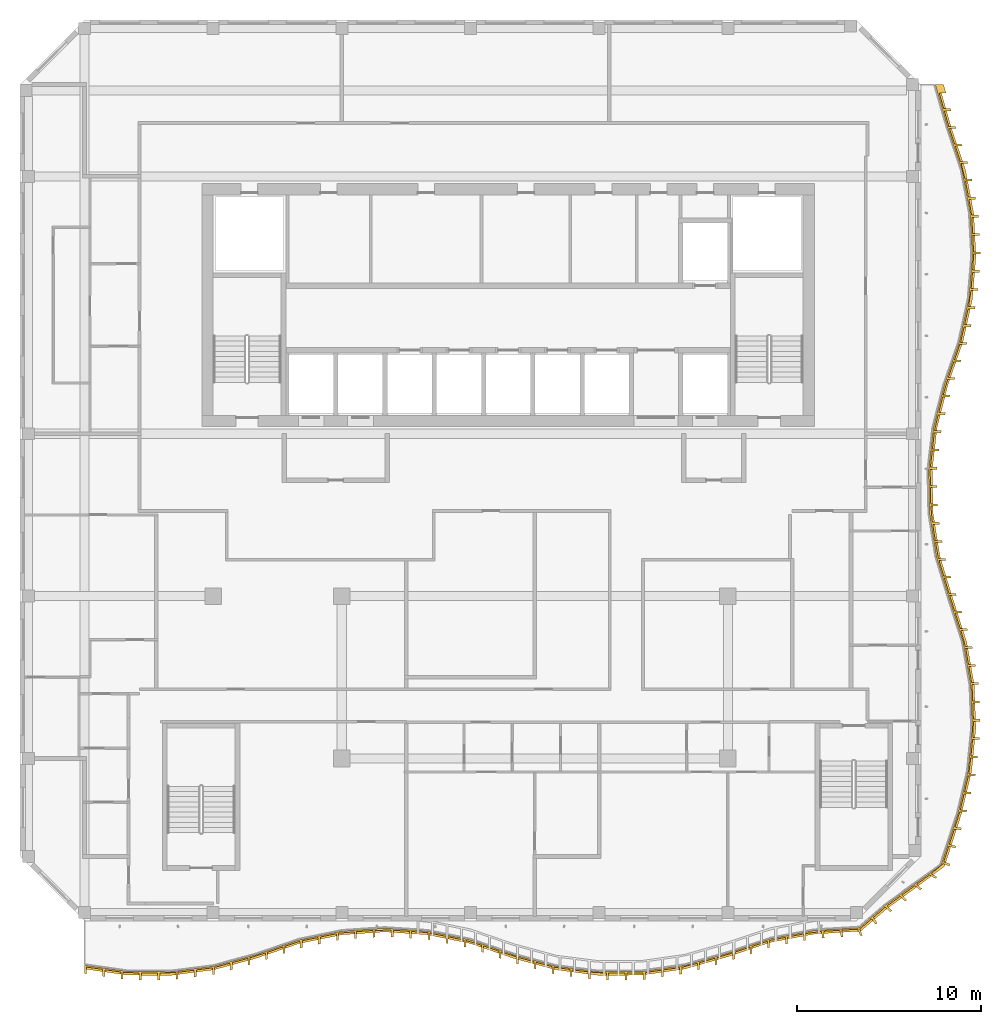
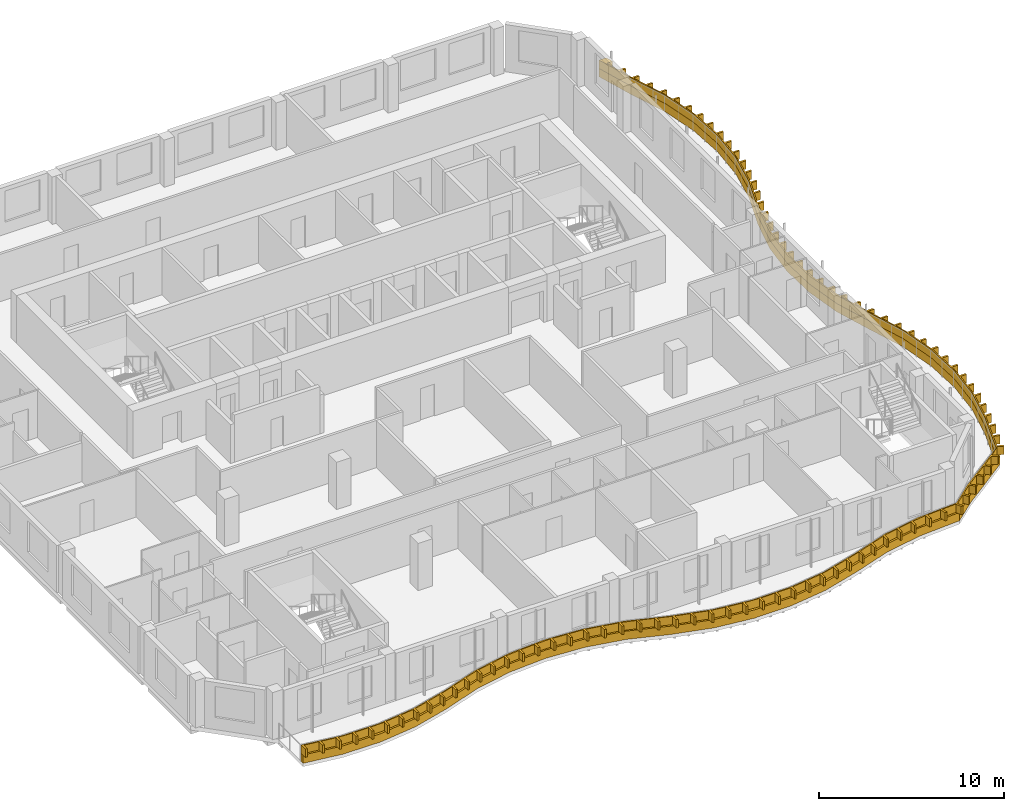
# One storey, part 13 of 17: 2 shading devices.
"""IFC4 building model written with IfcOpenShell, lengths in metres."""

from ifc_helpers import new_model, si_unit, direction, frame, origin, place, context, subcontext, project, spatial, polyline, outline, extrude, source, transform, mapped, material, layer, layer_set, type_object, element, save


model = new_model("IFC4")

# Units and contexts
model_context = context("Model", 3, precision=1e-05, world=origin(), true_north=direction((0.0, 1.0)))
body_context = subcontext(model_context, "Body", "Model", "MODEL_VIEW")
ifc_project = project(units=[si_unit("LENGTHUNIT", "METRE"), si_unit("AREAUNIT", "SQUARE_METRE"), si_unit("VOLUMEUNIT", "CUBIC_METRE"), si_unit("PLANEANGLEUNIT", "RADIAN"), si_unit("MASSUNIT", "GRAM", prefix="KILO")], contexts=[model_context])

# Site, building, storey
site_placement = place(None, origin())
site = spatial("IfcSite", under=ifc_project, at=site_placement, CompositionType="ELEMENT")
building_placement = place(site_placement, origin())
building = spatial("IfcBuilding", under=site, at=building_placement, Name="Kilnfold Tower and Market Hall", CompositionType="ELEMENT")
storey_placement = place(building_placement, frame((0.0, 0.0, 273.800048828125)))
storey = spatial("IfcBuildingStorey", under=building, at=storey_placement, Name="L67", CompositionType="ELEMENT", Elevation=273.800048828125)

# Shading devices
ifc_material_1 = material(Name="Precast concrete C50/60", Category="concrete")
ifc_layer_1 = layer(ifc_material_1, 0.550048828125)
ifc_layer_set_1 = layer_set([ifc_layer_1], Name="Precast concrete C50/60")
shading_device_type_1 = type_object("IfcShadingDeviceType", Name="BALCONY UPSTAND 550", PredefinedType="USERDEFINED", material=ifc_layer_set_1)
shared_shape_1 = source(origin(), body_context, "Body", "SweptSolid", [
    extrude(outline(polyline([(-22.0, -21.117431640625), (-19.666748046875, -21.45166015625), (-17.333251953125, -21.46923828125), (-15.0, -21.1708984375), (-12.666748046875, -20.5400390625), (-10.333251953125, -19.73779296875), (-8.0, -19.257568359375), (-5.666748046875, -19.10009765625), (-3.333251953125, -19.25634765625), (-1.0, -19.735595703125), (1.333251953125, -20.537109375), (3.666748046875, -21.169189453125), (6.0, -21.468505859375), (8.333251953125, -21.452392578125), (10.666748046875, -21.119384765625), (13.0, -20.450439453125), (15.333251953125, -19.669677734375), (17.666748046875, -19.225341796875), (20.230224609375, -19.055908203125), (21.664306640625, -17.830810546875), (23.015625, -16.84912109375), (24.78759765625, -15.533203125), (25.71337890625, -12.666748046875), (26.2666015625, -10.333251953125), (26.49267578125, -8.0), (26.404296875, -5.666748046875), (25.99658203125, -3.333251953125), (25.246826171875, -1.0), (24.538330078125, 1.333251953125), (24.169189453125, 3.666748046875), (24.11767578125, 6.0), (24.381103515625, 8.333251953125), (24.974609375, 10.666748046875), (25.789794921875, 13.0), (26.306396484375, 15.333251953125), (26.498046875, 17.666748046875), (26.375732421875, 20.0), (25.9326171875, 22.333251953125), (25.152587890625, 24.666748046875), (24.482421875, 27.0), (24.282470703125, 27.0), (24.95263671875, 24.666748046875), (25.732666015625, 22.333251953125), (26.17578125, 20.0), (26.298095703125, 17.666748046875), (26.1064453125, 15.333251953125), (25.589599609375, 13.0), (24.774658203125, 10.666748046875), (24.18115234375, 8.333251953125), (23.91748046875, 6.0), (23.968994140625, 3.666748046875), (24.33837890625, 1.333251953125), (25.046875, -1.0), (25.796630859375, -3.333251953125), (26.2041015625, -5.666748046875), (26.29248046875, -8.0), (26.06640625, -10.333251953125), (25.51318359375, -12.666748046875), (24.602783203125, -15.456787109375), (22.874267578125, -16.707763671875), (21.52294921875, -17.689453125), (20.15380859375, -18.87109375), (17.666748046875, -19.025390625), (15.333251953125, -19.4697265625), (13.0, -20.25048828125), (10.666748046875, -20.919189453125), (8.333251953125, -21.252197265625), (6.0, -21.2685546875), (3.666748046875, -20.96923828125), (1.333251953125, -20.337158203125), (-1.0, -19.535400390625), (-3.333251953125, -19.056396484375), (-5.666748046875, -18.89990234375), (-8.0, -19.0576171875), (-10.333251953125, -19.537841796875), (-12.666748046875, -20.340087890625), (-15.0, -20.970947265625), (-17.333251953125, -21.269287109375), (-19.666748046875, -21.251708984375), (-22.0, -20.91748046875), (-22.0, -21.117431640625)])), origin(), (0.0, 0.0, 1.0), 0.550048828125),
])
shading_device_1_placement = place(storey_placement, origin())
element("IfcShadingDevice", 1, at=shading_device_1_placement, inside=storey, type_object=shading_device_type_1, Name="Balcony fascia L67", ObjectType="FASCIA", PredefinedType="USERDEFINED", context=body_context, shape_type="MappedRepresentation", body=[
    mapped(shared_shape_1, transform((0.0, 0.0, 0.0))),
])
ifc_material_2 = material(Name="Bronze anodised aluminium", Category="aluminium")
ifc_layer_2 = layer(ifc_material_2, 0.550048828125)
ifc_layer_set_2 = layer_set([ifc_layer_2], Name="Bronze anodised aluminium")
shading_device_type_2 = type_object("IfcShadingDeviceType", Name="BRONZE SLAT FASCIA 550", PredefinedType="USERDEFINED", material=ifc_layer_set_2)
shared_shape_2 = source(origin(), body_context, "Body", "SweptSolid", [
    extrude(outline(polyline([(-22.0, -21.367431640625), (-22.0, -20.91748046875), (-19.666748046875, -21.251708984375), (-17.333251953125, -21.269287109375), (-15.0, -20.970947265625), (-12.666748046875, -20.340087890625), (-10.333251953125, -19.537841796875), (-8.0, -19.0576171875), (-5.666748046875, -18.89990234375), (-3.333251953125, -19.056396484375), (-1.0, -19.535400390625), (1.333251953125, -20.337158203125), (3.666748046875, -20.96923828125), (6.0, -21.2685546875), (8.333251953125, -21.252197265625), (10.666748046875, -20.919189453125), (13.0, -20.25048828125), (15.333251953125, -19.4697265625), (17.666748046875, -19.025390625), (20.15380859375, -18.87109375), (21.52294921875, -17.689453125), (24.602783203125, -15.456787109375), (25.51318359375, -12.666748046875), (26.06640625, -10.333251953125), (26.29248046875, -8.0), (26.2041015625, -5.666748046875), (25.796630859375, -3.333251953125), (25.046875, -1.0), (24.33837890625, 1.333251953125), (23.968994140625, 3.666748046875), (23.91748046875, 6.0), (24.18115234375, 8.333251953125), (24.774658203125, 10.666748046875), (25.589599609375, 13.0), (26.1064453125, 15.333251953125), (26.298095703125, 17.666748046875), (26.17578125, 20.0), (25.732666015625, 22.333251953125), (24.95263671875, 24.666748046875), (24.282470703125, 27.0), (24.732421875, 27.0), (24.868896484375, 26.525390625), (24.498779296875, 26.525390625), (24.74169921875, 25.679443359375), (25.11181640625, 25.679443359375), (25.14501953125, 25.564208984375), (24.77490234375, 25.564208984375), (25.017822265625, 24.71826171875), (25.387939453125, 24.71826171875), (25.423583984375, 24.603759765625), (25.0537109375, 24.603759765625), (25.332763671875, 23.769287109375), (25.70263671875, 23.769287109375), (25.74072265625, 23.655517578125), (25.37060546875, 23.655517578125), (25.649658203125, 22.82080078125), (26.019775390625, 22.82080078125), (26.0576171875, 22.70703125), (25.687744140625, 22.70703125), (25.9033203125, 21.855712890625), (26.273193359375, 21.855712890625), (26.295654296875, 21.73779296875), (25.92578125, 21.73779296875), (26.08984375, 20.873291015625), (26.4599609375, 20.873291015625), (26.482421875, 20.755615234375), (26.1123046875, 20.755615234375), (26.26171875, 19.88916015625), (26.631591796875, 19.88916015625), (26.637939453125, 19.769287109375), (26.267822265625, 19.769287109375), (26.31396484375, 18.890380859375), (26.68408203125, 18.890380859375), (26.690185546875, 18.770751953125), (26.3203125, 18.770751953125), (26.3662109375, 17.891845703125), (26.736328125, 17.891845703125), (26.74267578125, 17.772216796875), (26.37255859375, 17.772216796875), (26.314697265625, 16.894775390625), (26.684814453125, 16.894775390625), (26.6748046875, 16.775146484375), (26.304931640625, 16.775146484375), (26.23291015625, 15.898193359375), (26.602783203125, 15.898193359375), (26.593017578125, 15.778564453125), (26.222900390625, 15.778564453125), (26.0927734375, 14.910400390625), (26.462646484375, 14.910400390625), (26.436767578125, 14.793212890625), (26.06689453125, 14.793212890625), (25.87646484375, 13.93408203125), (26.24658203125, 13.93408203125), (26.220703125, 13.81689453125), (25.8505859375, 13.81689453125), (25.655517578125, 12.958984375), (26.025390625, 12.958984375), (25.98583984375, 12.845703125), (25.61572265625, 12.845703125), (25.32568359375, 12.014892578125), (25.695556640625, 12.014892578125), (25.656005859375, 11.901611328125), (25.285888671875, 11.901611328125), (24.995849609375, 11.07080078125), (25.36572265625, 11.07080078125), (25.326171875, 10.95751953125), (24.956298828125, 10.95751953125), (24.713623046875, 10.112548828125), (25.08349609375, 10.112548828125), (25.05419921875, 9.99609375), (24.68408203125, 9.99609375), (24.467041015625, 9.143310546875), (24.837158203125, 9.143310546875), (24.8076171875, 9.027099609375), (24.4375, 9.027099609375), (24.24267578125, 8.170166015625), (24.61279296875, 8.170166015625), (24.59912109375, 8.051025390625), (24.229248046875, 8.051025390625), (24.130615234375, 7.176513671875), (24.50048828125, 7.176513671875), (24.487060546875, 7.057373046875), (24.116943359375, 7.057373046875), (24.018310546875, 6.182861328125), (24.38818359375, 6.182861328125), (24.374755859375, 6.063720703125), (24.0048828125, 6.063720703125), (24.015625, 5.18408203125), (24.385498046875, 5.18408203125), (24.38818359375, 5.064208984375), (24.018310546875, 5.064208984375), (24.03759765625, 4.184326171875), (24.40771484375, 4.184326171875), (24.410400390625, 4.064453125), (24.040283203125, 4.064453125), (24.12451171875, 3.1904296875), (24.494384765625, 3.1904296875), (24.51318359375, 3.072021484375), (24.143310546875, 3.072021484375), (24.28076171875, 2.202880859375), (24.650634765625, 2.202880859375), (24.66943359375, 2.084228515625), (24.299560546875, 2.084228515625), (24.453125, 1.21875), (24.822998046875, 1.21875), (24.85791015625, 1.10400390625), (24.488037109375, 1.10400390625), (24.74365234375, 0.261962890625), (25.11376953125, 0.261962890625), (25.1484375, 0.147216796875), (24.778564453125, 0.147216796875), (25.0341796875, -0.69482421875), (25.404296875, -0.69482421875), (25.439208984375, -0.809814453125), (25.069091796875, -0.809814453125), (25.335205078125, -1.6484375), (25.705322265625, -1.6484375), (25.741943359375, -1.7626953125), (25.3720703125, -1.7626953125), (25.64111328125, -2.6005859375), (26.01123046875, -2.6005859375), (26.0478515625, -2.71484375), (25.677978515625, -2.71484375), (25.916259765625, -3.560302734375), (26.2861328125, -3.560302734375), (26.306884765625, -3.678466796875), (25.93701171875, -3.678466796875), (26.08837890625, -4.54541015625), (26.458251953125, -4.54541015625), (26.47900390625, -4.66357421875), (26.10888671875, -4.66357421875), (26.260498046875, -5.530517578125), (26.63037109375, -5.530517578125), (26.65087890625, -5.648681640625), (26.281005859375, -5.648681640625), (26.31689453125, -6.527587890625), (26.686767578125, -6.527587890625), (26.69140625, -6.647705078125), (26.3212890625, -6.647705078125), (26.354736328125, -7.527099609375), (26.724609375, -7.527099609375), (26.729248046875, -7.64697265625), (26.359130859375, -7.64697265625), (26.32177734375, -8.524169921875), (26.69189453125, -8.524169921875), (26.68017578125, -8.643798828125), (26.310302734375, -8.643798828125), (26.225341796875, -9.51953125), (26.595458984375, -9.51953125), (26.583740234375, -9.638916015625), (26.2138671875, -9.638916015625), (26.1044921875, -10.5107421875), (26.474365234375, -10.5107421875), (26.44677734375, -10.627685546875), (26.07666015625, -10.627685546875), (25.873779296875, -11.48388671875), (26.24365234375, -11.48388671875), (26.216064453125, -11.6005859375), (25.845947265625, -11.6005859375), (25.64306640625, -12.456787109375), (26.012939453125, -12.456787109375), (25.9853515625, -12.57373046875), (25.615478515625, -12.57373046875), (25.352783203125, -13.40087890625), (25.71728515625, -13.43798828125), (25.6796875, -13.555908203125), (25.316162109375, -13.51318359375), (25.048095703125, -14.3369140625), (25.40380859375, -14.42138671875), (25.365966796875, -14.539306640625), (25.01171875, -14.44921875), (24.745361328125, -15.273681640625), (25.090087890625, -15.40478515625), (25.052490234375, -15.522705078125), (24.709228515625, -15.385986328125), (24.064208984375, -15.93310546875), (24.3798828125, -16.11767578125), (24.280517578125, -16.193603515625), (23.968994140625, -16.002197265625), (23.273681640625, -16.51171875), (23.552490234375, -16.75048828125), (23.453125, -16.826416015625), (23.17919921875, -16.581298828125), (22.4736328125, -17.096435546875), (22.7353515625, -17.35791015625), (22.63818359375, -17.428466796875), (22.376708984375, -17.1669921875), (21.664794921875, -17.68408203125), (21.92626953125, -17.94580078125), (21.829345703125, -18.017578125), (21.568603515625, -17.75537109375), (20.91650390625, -18.31298828125), (21.122314453125, -18.614501953125), (21.02587890625, -18.69580078125), (20.82763671875, -18.38916015625), (20.176025390625, -18.945556640625), (20.317138671875, -19.28759765625), (20.19287109375, -19.29638671875), (20.05810546875, -18.95263671875), (19.195556640625, -19.005859375), (19.281982421875, -19.36083984375), (19.15771484375, -19.36962890625), (19.077880859375, -19.01318359375), (18.2158203125, -19.06884765625), (18.2470703125, -19.43408203125), (18.122802734375, -19.443115234375), (18.098388671875, -19.076416015625), (17.235107421875, -19.1875), (17.235107421875, -19.5576171875), (17.1171875, -19.580078125), (17.1171875, -19.2099609375), (16.252685546875, -19.37451171875), (16.252685546875, -19.74462890625), (16.134765625, -19.76708984375), (16.134765625, -19.39697265625), (15.272705078125, -19.570068359375), (15.272705078125, -19.93994140625), (15.15869140625, -19.97802734375), (15.15869140625, -19.608154296875), (14.32421875, -19.887451171875), (14.32421875, -20.25732421875), (14.21044921875, -20.29541015625), (14.21044921875, -19.92529296875), (13.3759765625, -20.20458984375), (13.3759765625, -20.57470703125), (13.26220703125, -20.61279296875), (13.26220703125, -20.242919921875), (12.419921875, -20.496826171875), (12.419921875, -20.86669921875), (12.304443359375, -20.89990234375), (12.304443359375, -20.52978515625), (11.45849609375, -20.772216796875), (11.45849609375, -21.142333984375), (11.343017578125, -21.17529296875), (11.343017578125, -20.805419921875), (10.4921875, -21.024169921875), (10.4921875, -21.394287109375), (10.373291015625, -21.4111328125), (10.373291015625, -21.041259765625), (9.502197265625, -21.16552734375), (9.502197265625, -21.535400390625), (9.38330078125, -21.552490234375), (9.38330078125, -21.182373046875), (8.51220703125, -21.306884765625), (8.51220703125, -21.6767578125), (8.393310546875, -21.693603515625), (8.393310546875, -21.32373046875), (7.513916015625, -21.337890625), (7.513916015625, -21.7080078125), (7.39404296875, -21.708984375), (7.39404296875, -21.3388671875), (6.51416015625, -21.344970703125), (6.51416015625, -21.715087890625), (6.39404296875, -21.7158203125), (6.39404296875, -21.345703125), (5.51806640625, -21.286865234375), (5.51806640625, -21.65673828125), (5.39892578125, -21.6416015625), (5.39892578125, -21.271484375), (4.526123046875, -21.159423828125), (4.526123046875, -21.529541015625), (4.406982421875, -21.514404296875), (4.406982421875, -21.144287109375), (3.537841796875, -21.014404296875), (3.537841796875, -21.384521484375), (3.422119140625, -21.35302734375), (3.422119140625, -20.98291015625), (2.572509765625, -20.7529296875), (2.572509765625, -21.122802734375), (2.456787109375, -21.091552734375), (2.456787109375, -20.721435546875), (1.607421875, -20.491455078125), (1.607421875, -20.861328125), (1.49169921875, -20.830078125), (1.49169921875, -20.4599609375), (0.65625, -20.1845703125), (0.65625, -20.554443359375), (0.542724609375, -20.515380859375), (0.542724609375, -20.1455078125), (-0.28955078125, -19.859619140625), (-0.28955078125, -20.2294921875), (-0.403076171875, -20.190673828125), (-0.403076171875, -19.820556640625), (-1.24365234375, -19.5654296875), (-1.24365234375, -19.935546875), (-1.361328125, -19.911376953125), (-1.361328125, -19.541259765625), (-2.223388671875, -19.3642578125), (-2.223388671875, -19.734375), (-2.3408203125, -19.710205078125), (-2.3408203125, -19.340087890625), (-3.202880859375, -19.1630859375), (-3.202880859375, -19.533203125), (-3.3203125, -19.509033203125), (-3.3203125, -19.138916015625), (-4.1982421875, -19.078369140625), (-4.1982421875, -19.448486328125), (-4.31787109375, -19.4404296875), (-4.31787109375, -19.0703125), (-5.196044921875, -19.01171875), (-5.196044921875, -19.381591796875), (-5.315673828125, -19.37353515625), (-5.315673828125, -19.00341796875), (-6.193603515625, -19.015625), (-6.193603515625, -19.385498046875), (-6.3134765625, -19.393798828125), (-6.3134765625, -19.023681640625), (-7.19140625, -19.0830078125), (-7.19140625, -19.452880859375), (-7.311279296875, -19.461181640625), (-7.311279296875, -19.091064453125), (-8.185791015625, -19.17578125), (-8.185791015625, -19.5458984375), (-8.30322265625, -19.570068359375), (-8.30322265625, -19.199951171875), (-9.165283203125, -19.37744140625), (-9.165283203125, -19.747314453125), (-9.28271484375, -19.771484375), (-9.28271484375, -19.401611328125), (-10.14453125, -19.5791015625), (-10.14453125, -19.94921875), (-10.26220703125, -19.973388671875), (-10.26220703125, -19.603271484375), (-11.0966796875, -19.88037109375), (-11.0966796875, -20.25048828125), (-11.210205078125, -20.289306640625), (-11.210205078125, -19.91943359375), (-12.04248046875, -20.20556640625), (-12.04248046875, -20.575439453125), (-12.156005859375, -20.614501953125), (-12.156005859375, -20.244384765625), (-12.994873046875, -20.5087890625), (-12.994873046875, -20.87890625), (-13.110595703125, -20.91015625), (-13.110595703125, -20.5400390625), (-13.960205078125, -20.769775390625), (-13.960205078125, -21.139892578125), (-14.075927734375, -21.171142578125), (-14.075927734375, -20.80126953125), (-14.925537109375, -21.031005859375), (-14.925537109375, -21.40087890625), (-15.0, -21.4208984375), (-15.04248046875, -21.426513671875), (-15.04248046875, -21.056396484375), (-15.915283203125, -21.16796875), (-15.915283203125, -21.5380859375), (-16.034423828125, -21.55322265625), (-16.034423828125, -21.18310546875), (-16.9072265625, -21.294921875), (-16.9072265625, -21.664794921875), (-17.0263671875, -21.679931640625), (-17.0263671875, -21.31005859375), (-17.90380859375, -21.344970703125), (-17.90380859375, -21.71484375), (-18.023681640625, -21.714111328125), (-18.023681640625, -21.343994140625), (-18.90380859375, -21.33740234375), (-18.90380859375, -21.70751953125), (-19.023681640625, -21.706298828125), (-19.023681640625, -21.33642578125), (-19.9013671875, -21.298095703125), (-19.9013671875, -21.66796875), (-20.020263671875, -21.65087890625), (-20.020263671875, -21.281005859375), (-20.891357421875, -21.15625), (-20.891357421875, -21.5263671875), (-21.010009765625, -21.50927734375), (-21.010009765625, -21.13916015625), (-21.881103515625, -21.014404296875), (-21.881103515625, -21.384521484375), (-22.0, -21.367431640625)])), origin(), (0.0, 0.0, 1.0), 0.5498046875),
])
shading_device_2_placement = place(storey_placement, frame((0.0, 0.0, 0.550048828125)))
element("IfcShadingDevice", 2, at=shading_device_2_placement, inside=storey, type_object=shading_device_type_2, Name="Balcony slat fascia L67", ObjectType="SLAT", PredefinedType="USERDEFINED", context=body_context, shape_type="MappedRepresentation", body=[
    mapped(shared_shape_2, transform((0.0, 0.0, 0.0))),
])

save(model, "model.ifc")
